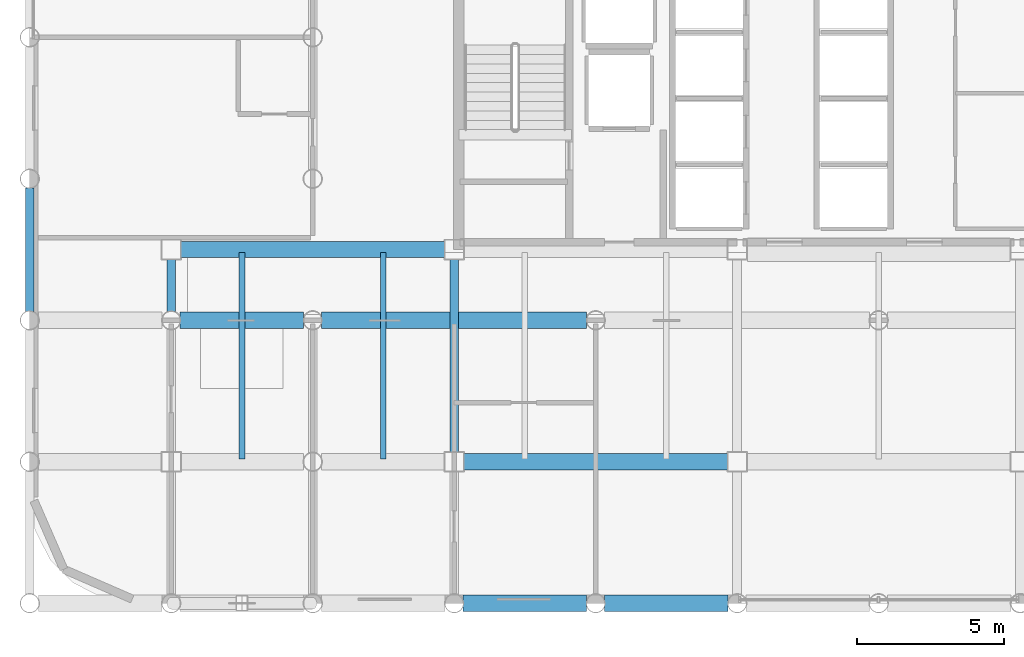
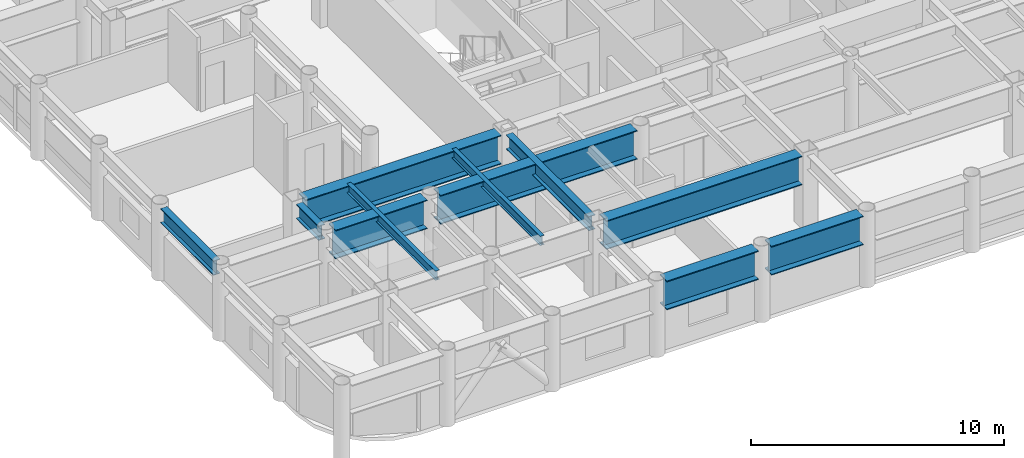
# One storey, part 2 of 22: 11 beams.
"""IFC4 building model written with IfcOpenShell, lengths in metres."""

from ifc_helpers import new_model, si_unit, direction, frame, origin, origin_2d, place, context, subcontext, project, spatial, i_section, extrude, material, material_profile, profile_set, type_object, element, save


model = new_model("IFC4")

# Units and contexts
model_context = context("Model", 3, precision=1e-05, world=origin(), true_north=direction((0.0, 1.0)))
body_context = subcontext(model_context, "Body", "Model", "MODEL_VIEW")
ifc_project = project(units=[si_unit("LENGTHUNIT", "METRE"), si_unit("AREAUNIT", "SQUARE_METRE"), si_unit("VOLUMEUNIT", "CUBIC_METRE"), si_unit("PLANEANGLEUNIT", "RADIAN"), si_unit("MASSUNIT", "GRAM", prefix="KILO")], contexts=[model_context])

# Site, building, storey
site_placement = place(None, origin())
site = spatial("IfcSite", under=ifc_project, at=site_placement, CompositionType="ELEMENT")
building_placement = place(site_placement, origin())
building = spatial("IfcBuilding", under=site, at=building_placement, Name="Kallvorn Hotel Tower", CompositionType="ELEMENT")
storey_placement = place(building_placement, frame((0.0, 0.0, 95.199951171875)))
storey = spatial("IfcBuildingStorey", under=building, at=storey_placement, Name="L22", CompositionType="ELEMENT", Elevation=95.199951171875)

# Beams
ifc_material_1 = material(Name="Structural steel S355JR", Category="steel")
ifc_material_profile_1 = material_profile(ifc_material_1, i_section(OverallWidth=0.300048828125, OverallDepth=0.699951171875, WebThickness=0.01708984375, FlangeThickness=0.031982421875, at=origin_2d()), Name="HE 700 B")
ifc_profile_set_1 = profile_set([ifc_material_profile_1], Name="Structural steel S355JR")
beam_type_1 = type_object("IfcBeamType", Name="BM_HE700B", PredefinedType="BEAM", material=ifc_profile_set_1)
beam_1_placement = place(storey_placement, frame((-28.800048828125, -9.294921875, 3.170166015625), z_axis=(0.0, 1.0, 0.0), x_axis=(-1.0, 0.0, 0.0)))
element("IfcBeam", 1, at=beam_1_placement, inside=storey, type_object=beam_type_1, Name="L23 Primary Y-Girder 75", PredefinedType="BEAM", context=body_context, shape_type="SweptSolid", body=[
    extrude(i_section(OverallWidth=0.300048828125, OverallDepth=0.699951171875, WebThickness=0.01708984375, FlangeThickness=0.031982421875, at=origin_2d()), origin(), (0.0, 0.0, 1.0), 4.18994140625),
])
beam_2_placement = place(storey_placement, frame((-24.0, -9.294921875, 3.170166015625), z_axis=(0.0, 1.0, 0.0), x_axis=(-1.0, 0.0, 0.0)))
element("IfcBeam", 2, at=beam_2_placement, inside=storey, type_object=beam_type_1, Name="L23 Primary Y-Girder 83", PredefinedType="BEAM", context=body_context, shape_type="SweptSolid", body=[
    extrude(i_section(OverallWidth=0.300048828125, OverallDepth=0.699951171875, WebThickness=0.01708984375, FlangeThickness=0.031982421875, at=origin_2d()), origin(), (0.0, 0.0, 1.0), 1.77001953125),
])
beam_3_placement = place(storey_placement, frame((-14.39990234375, -14.074951171875, 3.170166015625), z_axis=(0.0, 1.0, 0.0), x_axis=(-1.0, 0.0, 0.0)))
element("IfcBeam", 3, at=beam_3_placement, inside=storey, type_object=beam_type_1, Name="L23 Primary Y-Girder 98", PredefinedType="BEAM", context=body_context, shape_type="SweptSolid", body=[
    extrude(i_section(OverallWidth=0.300048828125, OverallDepth=0.699951171875, WebThickness=0.01708984375, FlangeThickness=0.031982421875, at=origin_2d()), origin(), (0.0, 0.0, 1.0), 6.550048828125),
])
ifc_material_2 = material(Name="Structural steel S355JR", Category="steel")
ifc_material_profile_2 = material_profile(ifc_material_2, i_section(OverallWidth=0.18994140625, OverallDepth=0.449951171875, WebThickness=0.009521484375, FlangeThickness=0.0146484375, at=origin_2d()), Name="IPE 450")
ifc_profile_set_2 = profile_set([ifc_material_profile_2], Name="Structural steel S355JR")
beam_type_2 = type_object("IfcBeamType", Name="BM_IPE450", PredefinedType="JOIST", material=ifc_profile_set_2)
for number, where, z_axis, x_axis, name in (
    (4, (-21.60009765625, -14.300048828125, 3.295166015625), (0.0, 1.0, 0.0), (-1.0, 0.0, 0.0), "L23 Secondary Composite Joist 192"),
    (5, (-16.800048828125, -14.300048828125, 3.295166015625), (0.0, 1.0, 0.0), (-1.0, 0.0, 0.0), "L23 Secondary Composite Joist 194"),
):
    element("IfcBeam", number, at=place(storey_placement, frame(where, z_axis=z_axis, x_axis=x_axis)), inside=storey, type_object=beam_type_2, Name=name, PredefinedType="JOIST", context=body_context, shape_type="SweptSolid", body=[
        extrude(i_section(OverallWidth=0.18994140625, OverallDepth=0.449951171875, WebThickness=0.009521484375, FlangeThickness=0.0146484375, at=origin_2d()), origin(), (0.0, 0.0, 1.0), 7.0),
    ])
ifc_material_3 = material(Name="Structural steel S355JR", Category="steel")
ifc_material_profile_3 = material_profile(ifc_material_3, i_section(OverallWidth=0.550048828125, OverallDepth=1.39990234375, WebThickness=0.02490234375, FlangeThickness=0.044921875, at=origin_2d()), Name="PG 1400x550x25x45")
ifc_profile_set_3 = profile_set([ifc_material_profile_3], Name="Structural steel S355JR")
beam_type_3 = type_object("IfcBeamType", Name="BM_PG_1400", PredefinedType="BEAM", material=ifc_profile_set_3)
for number, where, z_axis, x_axis, name in (
    (6, (-14.094970703125, -19.199951171875, 2.820068359375), (1.0, 0.0, 0.0), (0.0, 1.0, 0.0), "L23 Primary X-Girder 04"),
    (7, (-9.294921875, -19.199951171875, 2.820068359375), (1.0, 0.0, 0.0), (0.0, 1.0, 0.0), "L23 Primary X-Girder 05"),
):
    element("IfcBeam", number, at=place(storey_placement, frame(where, z_axis=z_axis, x_axis=x_axis)), inside=storey, type_object=beam_type_3, Name=name, PredefinedType="BEAM", context=body_context, shape_type="SweptSolid", body=[
        extrude(i_section(OverallWidth=0.550048828125, OverallDepth=1.39990234375, WebThickness=0.02490234375, FlangeThickness=0.044921875, at=origin_2d()), origin(), (0.0, 0.0, 1.0), 4.18994140625),
    ])
beam_4_placement = place(storey_placement, frame((-14.074951171875, -14.39990234375, 2.820068359375), z_axis=(1.0, 0.0, 0.0), x_axis=(0.0, 1.0, 0.0)))
element("IfcBeam", 8, at=beam_4_placement, inside=storey, type_object=beam_type_3, Name="L23 Primary X-Girder 16", PredefinedType="BEAM", context=body_context, shape_type="SweptSolid", body=[
    extrude(i_section(OverallWidth=0.550048828125, OverallDepth=1.39990234375, WebThickness=0.02490234375, FlangeThickness=0.044921875, at=origin_2d()), origin(), (0.0, 0.0, 1.0), 8.949951171875),
])
beam_5_placement = place(storey_placement, frame((-23.695068359375, -9.60009765625, 2.820068359375), z_axis=(1.0, 0.0, 0.0), x_axis=(0.0, 1.0, 0.0)))
element("IfcBeam", 9, at=beam_5_placement, inside=storey, type_object=beam_type_3, Name="L23 Primary X-Girder 24", PredefinedType="BEAM", context=body_context, shape_type="SweptSolid", body=[
    extrude(i_section(OverallWidth=0.550048828125, OverallDepth=1.39990234375, WebThickness=0.02490234375, FlangeThickness=0.044921875, at=origin_2d()), origin(), (0.0, 0.0, 1.0), 4.190185546875),
])
beam_6_placement = place(storey_placement, frame((-18.89501953125, -9.60009765625, 2.820068359375), z_axis=(1.0, 0.0, 0.0), x_axis=(0.0, 1.0, 0.0)))
element("IfcBeam", 10, at=beam_6_placement, inside=storey, type_object=beam_type_3, Name="L23 Primary X-Girder 25", PredefinedType="BEAM", context=body_context, shape_type="SweptSolid", body=[
    extrude(i_section(OverallWidth=0.550048828125, OverallDepth=1.39990234375, WebThickness=0.02490234375, FlangeThickness=0.044921875, at=origin_2d()), origin(), (0.0, 0.0, 1.0), 8.989990234375),
])
beam_7_placement = place(storey_placement, frame((-23.675048828125, -7.199951171875, 2.820068359375), z_axis=(1.0, 0.0, 0.0), x_axis=(0.0, 1.0, 0.0)))
element("IfcBeam", 11, at=beam_7_placement, inside=storey, type_object=beam_type_3, Name="L23 Primary X-Girder 32", PredefinedType="BEAM", context=body_context, shape_type="SweptSolid", body=[
    extrude(i_section(OverallWidth=0.550048828125, OverallDepth=1.39990234375, WebThickness=0.02490234375, FlangeThickness=0.044921875, at=origin_2d()), origin(), (0.0, 0.0, 1.0), 8.949951171875),
])

save(model, "model.ifc")
